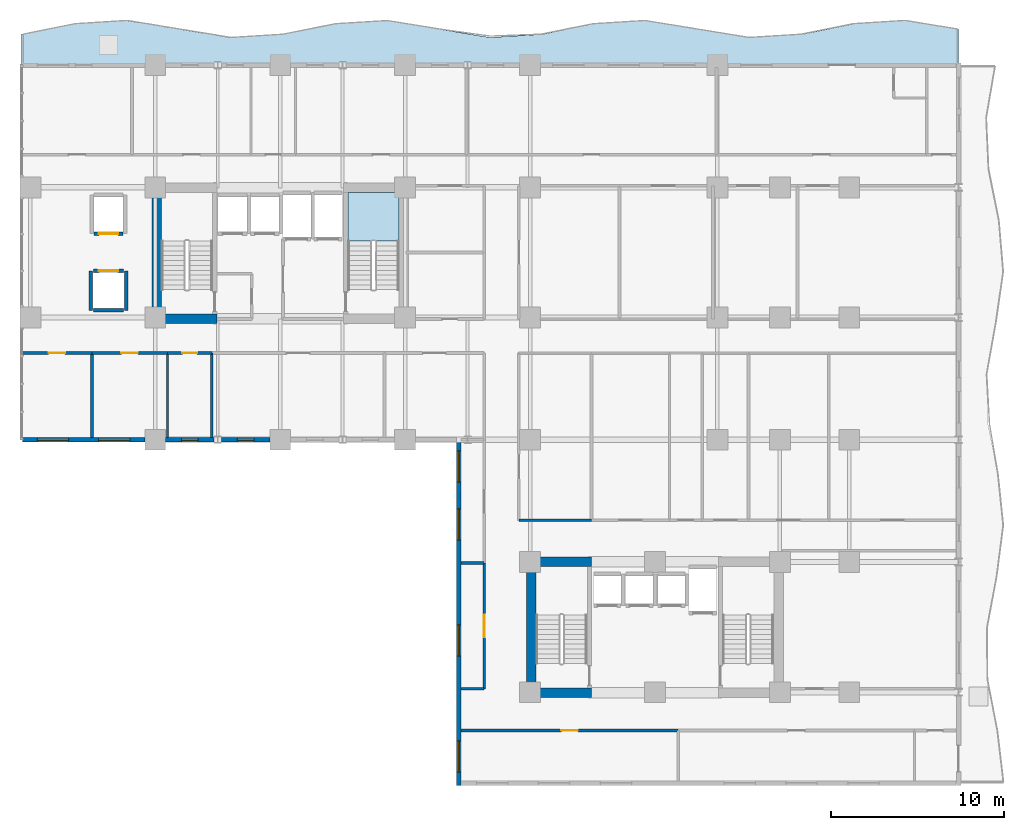
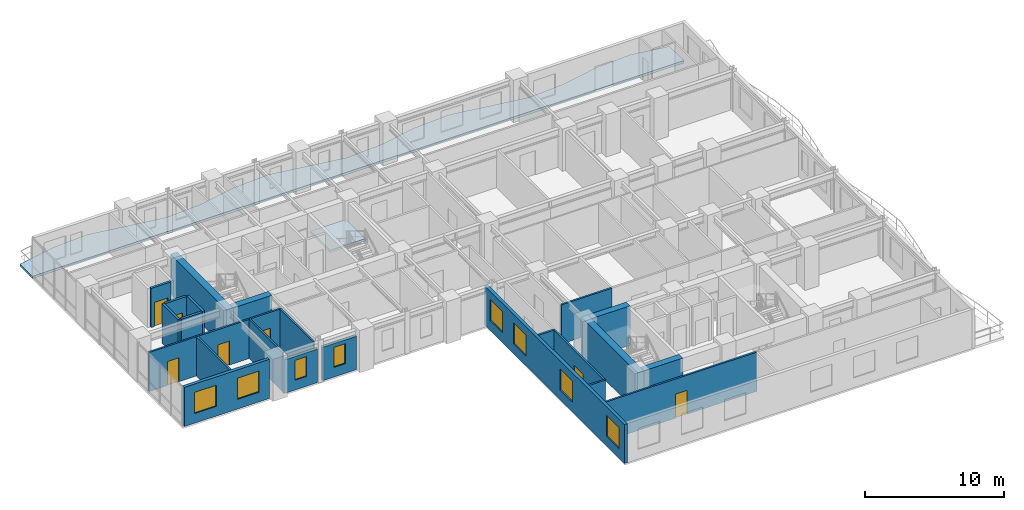
# One storey, part 10 of 18: 25 walls, 8 windows, 7 doors, 2 slabs, 15 openings, 1 element without a shape of its own.
"""IFC4 building model written with IfcOpenShell, lengths in metres."""

from ifc_helpers import new_model, si_unit, direction, frame, frame_2d, origin, place, context, subcontext, project, spatial, polyline, rectangle, outline, extrude, material, layer, layer_set, type_object, element, fill, aggregate, save


model = new_model("IFC4")

# Units and contexts
model_context = context("Model", 3, precision=1e-05, world=origin(), true_north=direction((0.0, 1.0)))
body_context = subcontext(model_context, "Body", "Model", "MODEL_VIEW")
ifc_project = project(units=[si_unit("LENGTHUNIT", "METRE"), si_unit("AREAUNIT", "SQUARE_METRE"), si_unit("VOLUMEUNIT", "CUBIC_METRE"), si_unit("PLANEANGLEUNIT", "RADIAN"), si_unit("MASSUNIT", "GRAM", prefix="KILO")], contexts=[model_context])

# Site, building, storey
site_placement = place(None, origin())
site = spatial("IfcSite", under=ifc_project, at=site_placement, CompositionType="ELEMENT")
building_placement = place(site_placement, origin())
building = spatial("IfcBuilding", under=site, at=building_placement, Name="Kaliganga Portal Commons", CompositionType="ELEMENT")
storey_placement = place(building_placement, frame((0.0, 0.0, 93.39990234375)))
storey = spatial("IfcBuildingStorey", under=building, at=storey_placement, Name="L23", CompositionType="ELEMENT", Elevation=93.39990234375)

# Slab
ifc_material_1 = material(Name="Concrete C40/50", Category="concrete")
ifc_layer_1 = layer(ifc_material_1, 0.2099609375)
ifc_layer_set_1 = layer_set([ifc_layer_1], Name="Concrete C40/50")
slab_type_1 = type_object("IfcSlabType", Name="SLB-BALC-210", PredefinedType="FLOOR", material=ifc_layer_set_1)
slab_1_placement = place(storey_placement, frame((0.0, 0.0, -0.2099609375)))
element("IfcSlab", 1, at=slab_1_placement, inside=storey, type_object=slab_type_1, Name="Scalloped Tree-Planter Balcony Slab L23 balc_north", PredefinedType="FLOOR", context=body_context, shape_type="SweptSolid", body=[
    extrude(outline(polyline([(60.699951171875, 43.199951171875), (60.699951171875, 45.282470703125), (57.699951171875, 45.774658203125), (54.699951171875, 45.586669921875), (51.699951171875, 44.97802734375), (48.699951171875, 44.7900390625), (45.699951171875, 45.282470703125), (42.699951171875, 45.774658203125), (39.699951171875, 45.586669921875), (36.699951171875, 44.97802734375), (33.699951171875, 44.7900390625), (30.699951171875, 45.282470703125), (27.699951171875, 45.774658203125), (24.699951171875, 45.586669921875), (21.699951171875, 44.97802734375), (18.699951171875, 44.7900390625), (15.699951171875, 45.282470703125), (12.699951171875, 45.774658203125), (9.699951171875, 45.586669921875), (6.699951171875, 44.97802734375), (6.699951171875, 43.199951171875), (60.699951171875, 43.199951171875)])), origin(), (0.0, 0.0, 1.0), 0.2099609375),
])

# Stair, slab
stair_type = type_object("IfcStairType", Name="ST-CORE-DOGLEG", PredefinedType="HALF_TURN_STAIR", material=ifc_material_1)
stair_placement = place(storey_placement, origin())
stair = element("IfcStair", 2, at=stair_placement, inside=storey, type_object=stair_type, Name="L23 Protected Exit Stair ST-A2", PredefinedType="HALF_TURN_STAIR")
ifc_layer_2 = layer(ifc_material_1, 0.199951171875)
ifc_layer_set_2 = layer_set([ifc_layer_2], Name="Concrete C40/50")
slab_type_2 = type_object("IfcSlabType", Name="SLB-STAIR-LND", PredefinedType="LANDING", material=ifc_layer_set_2)
slab_2_placement = place(storey_placement, frame((0.0, 0.0, 1.650146484375)))
slab_2 = element("IfcSlab", 3, at=slab_2_placement, type_object=slab_type_2, Name="ST-A2 landing 1", PredefinedType="LANDING", context=body_context, shape_type="SweptSolid", body=[
    extrude(outline(polyline([(28.449951171875, 33.050048828125), (28.449951171875, 35.85009765625), (25.5, 35.85009765625), (25.5, 33.050048828125), (28.449951171875, 33.050048828125)])), origin(), (0.0, 0.0, 1.0), 0.199951171875),
])
aggregate(stair, [slab_2])

# Walls
ifc_material_2 = material(Name="Concrete C60/75", Category="concrete")
ifc_layer_3 = layer(ifc_material_2, 0.550048828125)
ifc_layer_set_3 = layer_set([ifc_layer_3], Name="Concrete C60/75")
wall_type_1 = type_object("IfcWallType", Name="WL-CORE-550", PredefinedType="SHEAR", material=ifc_layer_set_3)
wall_1_placement = place(storey_placement, frame((14.47509765625, 28.300048828125, 0.0), z_axis=(0.0, 0.0, 1.0), x_axis=(0.0, 1.0, 0.0)))
element("IfcWall", 4, at=wall_1_placement, inside=storey, type_object=wall_type_1, Name="Core A West Shear Wall L23", PredefinedType="SHEAR", context=body_context, shape_type="SweptSolid", body=[
    extrude(rectangle(XDim=8.099853515625, YDim=0.550048828125, at=frame_2d((4.0498046875, 0.0))), origin(), (0.0, 0.0, 1.0), 3.4501953125),
])
wall_2_placement = place(storey_placement, frame((14.75, 28.574951171875, 0.0), z_axis=(0.0, 0.0, 1.0), x_axis=(1.0, 0.0, 0.0)))
element("IfcWall", 5, at=wall_2_placement, inside=storey, type_object=wall_type_1, Name="Core A S-West Shear Wall L23", PredefinedType="SHEAR", context=body_context, shape_type="SweptSolid", body=[
    extrude(rectangle(XDim=3.199951171875, YDim=0.550048828125, at=frame_2d((1.60009765625, 0.0))), origin(), (0.0, 0.0, 1.0), 3.4501953125),
])
wall_3_placement = place(storey_placement, frame((36.074951171875, 6.75, 0.0), z_axis=(0.0, 0.0, 1.0), x_axis=(0.0, 1.0, 0.0)))
element("IfcWall", 6, at=wall_3_placement, inside=storey, type_object=wall_type_1, Name="Core B West Shear Wall L23", PredefinedType="SHEAR", context=body_context, shape_type="SweptSolid", body=[
    extrude(rectangle(XDim=8.10009765625, YDim=0.550048828125, at=frame_2d((4.050048828125, 0.0))), origin(), (0.0, 0.0, 1.0), 3.4501953125),
])
for number, where, z_axis, x_axis, name in (
    (7, (36.35009765625, 7.02490234375, 0.0), (0.0, 0.0, 1.0), (1.0, 0.0, 0.0), "Core B S-West Shear Wall L23"),
    (8, (36.35009765625, 14.574951171875, 0.0), (0.0, 0.0, 1.0), (1.0, 0.0, 0.0), "Core B N-West Shear Wall L23"),
):
    element("IfcWall", number, at=place(storey_placement, frame(where, z_axis=z_axis, x_axis=x_axis)), inside=storey, type_object=wall_type_1, Name=name, PredefinedType="SHEAR", context=body_context, shape_type="SweptSolid", body=[
        extrude(rectangle(XDim=3.199951171875, YDim=0.550048828125, at=frame_2d((1.60009765625, 0.0))), origin(), (0.0, 0.0, 1.0), 3.4501953125),
    ])

# Wall, openings, windows
ifc_material_3 = material(Name="Insulated Aluminium-Clad Spandrel Assembly", Category="aluminium")
ifc_layer_4 = layer(ifc_material_3, 0.260009765625)
ifc_layer_set_4 = layer_set([ifc_layer_4], Name="Insulated Aluminium-Clad Spandrel Assembly")
wall_type_2 = type_object("IfcWallType", Name="WL-EXT-SPAND-260", PredefinedType="STANDARD", material=ifc_layer_set_4)
wall_4_placement = place(storey_placement, frame((13.799072265625, 21.60009765625, 0.0), z_axis=(0.0, 0.0, 1.0), x_axis=(-1.0, 0.0, 0.0)))
wall_4 = element("IfcWall", 9, at=wall_4_placement, inside=storey, type_object=wall_type_2, Name="Exterior Envelope Wall L23 P1-E04-S1", PredefinedType="STANDARD", context=body_context, shape_type="SweptSolid", body=[
    extrude(rectangle(XDim=7.06201171875, YDim=0.260009765625, at=frame_2d((3.531005859375, 0.0))), origin(), (0.0, 0.0, 1.0), 3.43017578125),
])
opening_1_placement = place(wall_4_placement, frame((0.865478515625, 0.0, 0.85009765625)))
opening_1 = element("IfcOpeningElement", 10, at=opening_1_placement, cuts=wall_4, Name="Opening W-01", PredefinedType="OPENING", context=body_context, shape_type="SweptSolid", body=[
    extrude(rectangle(XDim=1.800048828125, YDim=1.85009765625, at=frame_2d((0.89990234375, 0.925048828125))), frame((0.0, 0.14013671875, 0.0), z_axis=(0.0, -1.0, 0.0), x_axis=(1.0, 0.0, 0.0)), (0.0, 0.0, 1.0), 0.280029296875),
])
opening_2_placement = place(wall_4_placement, frame((4.396484375, 0.0, 0.85009765625)))
opening_2 = element("IfcOpeningElement", 11, at=opening_2_placement, cuts=wall_4, Name="Opening W-01", PredefinedType="OPENING", context=body_context, shape_type="SweptSolid", body=[
    extrude(rectangle(XDim=1.800048828125, YDim=1.85009765625, at=frame_2d((0.89990234375, 0.925048828125))), frame((0.0, 0.14013671875, 0.0), z_axis=(0.0, -1.0, 0.0), x_axis=(1.0, 0.0, 0.0)), (0.0, 0.0, 1.0), 0.280029296875),
])
ifc_material_4 = material(Name="Thermally Broken Aluminium and Low-E Double Glazing", Category="aluminium")
window_type_1 = type_object("IfcWindowType", Name="WIN-STD-1800", PartitioningType="DOUBLE_PANEL_VERTICAL", PredefinedType="WINDOW", material=ifc_material_4)
window_1_placement = place(opening_1_placement, origin())
window_1 = element("IfcWindow", 12, at=window_1_placement, inside=storey, type_object=window_type_1, Name="Facade Window L23-P1E04S1-00", OverallHeight=1.85009765625, OverallWidth=1.800048828125, PartitioningType="SINGLE_PANEL", PredefinedType="WINDOW", context=body_context, shape_type="SweptSolid", body=[
    extrude(rectangle(XDim=1.800048828125, YDim=1.85009765625, at=frame_2d((0.89990234375, 0.925048828125))), frame((0.0, 0.030029296875, 0.0), z_axis=(0.0, -1.0, 0.0), x_axis=(1.0, 0.0, 0.0)), (0.0, 0.0, 1.0), 0.06005859375),
])
fill(opening_1, window_1)
window_2_placement = place(opening_2_placement, origin())
window_2 = element("IfcWindow", 13, at=window_2_placement, inside=storey, type_object=window_type_1, Name="Facade Window L23-P1E04S1-01", OverallHeight=1.85009765625, OverallWidth=1.800048828125, PartitioningType="SINGLE_PANEL", PredefinedType="WINDOW", context=body_context, shape_type="SweptSolid", body=[
    extrude(rectangle(XDim=1.800048828125, YDim=1.85009765625, at=frame_2d((0.89990234375, 0.925048828125))), frame((0.0, 0.030029296875, 0.0), z_axis=(0.0, -1.0, 0.0), x_axis=(1.0, 0.0, 0.0)), (0.0, 0.0, 1.0), 0.06005859375),
])
fill(opening_2, window_2)

# Wall, opening, window
wall_5_placement = place(storey_placement, frame((17.79443359375, 21.60009765625, 0.0), z_axis=(0.0, 0.0, 1.0), x_axis=(-1.0, 0.0, 0.0)))
wall_5 = element("IfcWall", 14, at=wall_5_placement, inside=storey, type_object=wall_type_2, Name="Exterior Envelope Wall L23 P1-E04-S2", PredefinedType="STANDARD", context=body_context, shape_type="SweptSolid", body=[
    extrude(rectangle(XDim=2.79345703125, YDim=0.260009765625, at=frame_2d((1.396728515625, 0.0))), origin(), (0.0, 0.0, 1.0), 2.93017578125),
])
opening_3_placement = place(wall_5_placement, frame((0.921630859375, 0.0, 0.85009765625)))
opening_3 = element("IfcOpeningElement", 15, at=opening_3_placement, cuts=wall_5, Name="Opening W-04", PredefinedType="OPENING", context=body_context, shape_type="SweptSolid", body=[
    extrude(rectangle(XDim=0.949951171875, YDim=1.75, at=frame_2d((0.47509765625, 0.875))), frame((0.0, 0.14013671875, 0.0), z_axis=(0.0, -1.0, 0.0), x_axis=(1.0, 0.0, 0.0)), (0.0, 0.0, 1.0), 0.280029296875),
])
window_type_2 = type_object("IfcWindowType", Name="WIN-NARROW-950", PartitioningType="SINGLE_PANEL", PredefinedType="WINDOW", material=ifc_material_4)
window_3_placement = place(opening_3_placement, origin())
window_3 = element("IfcWindow", 16, at=window_3_placement, inside=storey, type_object=window_type_2, Name="Facade Window L23-P1E04S2-00", OverallHeight=1.75, OverallWidth=0.949951171875, PartitioningType="SINGLE_PANEL", PredefinedType="WINDOW", context=body_context, shape_type="SweptSolid", body=[
    extrude(rectangle(XDim=0.949951171875, YDim=1.75, at=frame_2d((0.47509765625, 0.875))), frame((0.0, 0.030029296875, 0.0), z_axis=(0.0, -1.0, 0.0), x_axis=(1.0, 0.0, 0.0)), (0.0, 0.0, 1.0), 0.06005859375),
])
fill(opening_3, window_3)

wall_6_placement = place(storey_placement, frame((20.9990234375, 21.60009765625, 0.0), z_axis=(0.0, 0.0, 1.0), x_axis=(-1.0, 0.0, 0.0)))
wall_6 = element("IfcWall", 17, at=wall_6_placement, inside=storey, type_object=wall_type_2, Name="Exterior Envelope Wall L23 P1-E04-S3", PredefinedType="STANDARD", context=body_context, shape_type="SweptSolid", body=[
    extrude(rectangle(XDim=2.79345703125, YDim=0.260009765625, at=frame_2d((1.396728515625, 0.0))), origin(), (0.0, 0.0, 1.0), 2.93017578125),
])
opening_4_placement = place(wall_6_placement, frame((0.921630859375, 0.0, 0.85009765625)))
opening_4 = element("IfcOpeningElement", 18, at=opening_4_placement, cuts=wall_6, Name="Opening W-04", PredefinedType="OPENING", context=body_context, shape_type="SweptSolid", body=[
    extrude(rectangle(XDim=0.949951171875, YDim=1.75, at=frame_2d((0.47509765625, 0.875))), frame((0.0, 0.14013671875, 0.0), z_axis=(0.0, -1.0, 0.0), x_axis=(1.0, 0.0, 0.0)), (0.0, 0.0, 1.0), 0.280029296875),
])
window_4_placement = place(opening_4_placement, origin())
window_4 = element("IfcWindow", 19, at=window_4_placement, inside=storey, type_object=window_type_2, Name="Facade Window L23-P1E04S3-00", OverallHeight=1.75, OverallWidth=0.949951171875, PartitioningType="SINGLE_PANEL", PredefinedType="WINDOW", context=body_context, shape_type="SweptSolid", body=[
    extrude(rectangle(XDim=0.949951171875, YDim=1.75, at=frame_2d((0.47509765625, 0.875))), frame((0.0, 0.030029296875, 0.0), z_axis=(0.0, -1.0, 0.0), x_axis=(1.0, 0.0, 0.0)), (0.0, 0.0, 1.0), 0.06005859375),
])
fill(opening_4, window_4)

# Wall, openings, windows
wall_7_placement = place(storey_placement, frame((31.89990234375, 1.669921875, 0.0), z_axis=(0.0, 0.0, 1.0), x_axis=(0.0, 1.0, 0.0)))
wall_7 = element("IfcWall", 20, at=wall_7_placement, inside=storey, type_object=wall_type_2, Name="Exterior Envelope Wall L23 P1-E05-S1", PredefinedType="STANDARD", context=body_context, shape_type="SweptSolid", body=[
    extrude(rectangle(XDim=20.06005859375, YDim=0.260009765625, at=frame_2d((10.030029296875, 0.0))), origin(), (0.0, 0.0, 1.0), 3.43017578125),
])
opening_5_placement = place(wall_7_placement, frame((0.771728515625, 0.0, 0.85009765625)))
opening_5 = element("IfcOpeningElement", 21, at=opening_5_placement, cuts=wall_7, Name="Opening W-01", PredefinedType="OPENING", context=body_context, shape_type="SweptSolid", body=[
    extrude(rectangle(XDim=1.800048828125, YDim=1.85009765625, at=frame_2d((0.89990234375, 0.925048828125))), frame((0.0, 0.14013671875, 0.0), z_axis=(0.0, -1.0, 0.0), x_axis=(1.0, 0.0, 0.0)), (0.0, 0.0, 1.0), 0.280029296875),
])
opening_6_placement = place(wall_7_placement, frame((7.458251953125, 0.0, 0.85009765625)))
opening_6 = element("IfcOpeningElement", 22, at=opening_6_placement, cuts=wall_7, Name="Opening W-01", PredefinedType="OPENING", context=body_context, shape_type="SweptSolid", body=[
    extrude(rectangle(XDim=1.800048828125, YDim=1.85009765625, at=frame_2d((0.89990234375, 0.925048828125))), frame((0.0, 0.14013671875, 0.0), z_axis=(0.0, -1.0, 0.0), x_axis=(1.0, 0.0, 0.0)), (0.0, 0.0, 1.0), 0.280029296875),
])
opening_7_placement = place(wall_7_placement, frame((14.14501953125, 0.0, 0.85009765625)))
opening_7 = element("IfcOpeningElement", 23, at=opening_7_placement, cuts=wall_7, Name="Opening W-01", PredefinedType="OPENING", context=body_context, shape_type="SweptSolid", body=[
    extrude(rectangle(XDim=1.800048828125, YDim=1.85009765625, at=frame_2d((0.89990234375, 0.925048828125))), frame((0.0, 0.14013671875, 0.0), z_axis=(0.0, -1.0, 0.0), x_axis=(1.0, 0.0, 0.0)), (0.0, 0.0, 1.0), 0.280029296875),
])
opening_8_placement = place(wall_7_placement, frame((17.48828125, 0.0, 0.85009765625)))
opening_8 = element("IfcOpeningElement", 24, at=opening_8_placement, cuts=wall_7, Name="Opening W-01", PredefinedType="OPENING", context=body_context, shape_type="SweptSolid", body=[
    extrude(rectangle(XDim=1.800048828125, YDim=1.85009765625, at=frame_2d((0.89990234375, 0.925048828125))), frame((0.0, 0.14013671875, 0.0), z_axis=(0.0, -1.0, 0.0), x_axis=(1.0, 0.0, 0.0)), (0.0, 0.0, 1.0), 0.280029296875),
])
window_5_placement = place(opening_5_placement, origin())
window_5 = element("IfcWindow", 25, at=window_5_placement, inside=storey, type_object=window_type_1, Name="Facade Window L23-P1E05S1-00", OverallHeight=1.85009765625, OverallWidth=1.800048828125, PartitioningType="SINGLE_PANEL", PredefinedType="WINDOW", context=body_context, shape_type="SweptSolid", body=[
    extrude(rectangle(XDim=1.800048828125, YDim=1.85009765625, at=frame_2d((0.89990234375, 0.925048828125))), frame((0.0, 0.030029296875, 0.0), z_axis=(0.0, -1.0, 0.0), x_axis=(1.0, 0.0, 0.0)), (0.0, 0.0, 1.0), 0.06005859375),
])
fill(opening_5, window_5)
window_6_placement = place(opening_6_placement, origin())
window_6 = element("IfcWindow", 26, at=window_6_placement, inside=storey, type_object=window_type_1, Name="Facade Window L23-P1E05S1-02", OverallHeight=1.85009765625, OverallWidth=1.800048828125, PartitioningType="SINGLE_PANEL", PredefinedType="WINDOW", context=body_context, shape_type="SweptSolid", body=[
    extrude(rectangle(XDim=1.800048828125, YDim=1.85009765625, at=frame_2d((0.89990234375, 0.925048828125))), frame((0.0, 0.030029296875, 0.0), z_axis=(0.0, -1.0, 0.0), x_axis=(1.0, 0.0, 0.0)), (0.0, 0.0, 1.0), 0.06005859375),
])
fill(opening_6, window_6)
window_7_placement = place(opening_7_placement, origin())
window_7 = element("IfcWindow", 27, at=window_7_placement, inside=storey, type_object=window_type_1, Name="Facade Window L23-P1E05S1-04", OverallHeight=1.85009765625, OverallWidth=1.800048828125, PartitioningType="SINGLE_PANEL", PredefinedType="WINDOW", context=body_context, shape_type="SweptSolid", body=[
    extrude(rectangle(XDim=1.800048828125, YDim=1.85009765625, at=frame_2d((0.89990234375, 0.925048828125))), frame((0.0, 0.030029296875, 0.0), z_axis=(0.0, -1.0, 0.0), x_axis=(1.0, 0.0, 0.0)), (0.0, 0.0, 1.0), 0.06005859375),
])
fill(opening_7, window_7)
window_8_placement = place(opening_8_placement, origin())
window_8 = element("IfcWindow", 28, at=window_8_placement, inside=storey, type_object=window_type_1, Name="Facade Window L23-P1E05S1-05", OverallHeight=1.85009765625, OverallWidth=1.800048828125, PartitioningType="SINGLE_PANEL", PredefinedType="WINDOW", context=body_context, shape_type="SweptSolid", body=[
    extrude(rectangle(XDim=1.800048828125, YDim=1.85009765625, at=frame_2d((0.89990234375, 0.925048828125))), frame((0.0, 0.030029296875, 0.0), z_axis=(0.0, -1.0, 0.0), x_axis=(1.0, 0.0, 0.0)), (0.0, 0.0, 1.0), 0.06005859375),
])
fill(opening_8, window_8)

# Wall, opening, door
ifc_material_5 = material(Name="Fire-Rated Gypsum Board on Steel Stud", Category="steel")
ifc_layer_5 = layer(ifc_material_5, 0.14990234375)
ifc_layer_set_5 = layer_set([ifc_layer_5], Name="Fire-Rated Gypsum Board on Steel Stud")
wall_type_3 = type_object("IfcWallType", Name="WL-PART-CORR-150", PredefinedType="PARTITIONING", material=ifc_layer_set_5)
wall_8_placement = place(storey_placement, frame((32.031982421875, 4.840087890625, 0.0), z_axis=(0.0, 0.0, 1.0), x_axis=(1.0, 0.0, 0.0)))
wall_8 = element("IfcWall", 29, at=wall_8_placement, inside=storey, type_object=wall_type_3, Name="Interior Partition L23-006", PredefinedType="PARTITIONING", context=body_context, shape_type="SweptSolid", body=[
    extrude(rectangle(XDim=12.508056640625, YDim=0.14990234375, at=frame_2d((6.25390625, 0.0))), origin(), (0.0, 0.0, 1.0), 3.43017578125),
])
opening_9_placement = place(wall_8_placement, frame((5.779052734375, 0.0, 0.0)))
opening_9 = element("IfcOpeningElement", 30, at=opening_9_placement, cuts=wall_8, Name="Opening UD-01", PredefinedType="OPENING", context=body_context, shape_type="SweptSolid", body=[
    extrude(rectangle(XDim=0.949951171875, YDim=2.10009765625, at=frame_2d((0.47509765625, 1.050048828125))), frame((0.0, 0.0849609375, 0.0), z_axis=(0.0, -1.0, 0.0), x_axis=(1.0, 0.0, 0.0)), (0.0, 0.0, 1.0), 0.169921875),
])
ifc_material_6 = material(Name="Solid-Core Timber Acoustic Fire Door", Category="wood")
door_type_1 = type_object("IfcDoorType", Name="DR-UNIT-950", OperationType="NOTDEFINED", PredefinedType="DOOR", material=ifc_material_6)
door_1_placement = place(opening_9_placement, origin())
door_1 = element("IfcDoor", 31, at=door_1_placement, inside=storey, type_object=door_type_1, Name="Interior Door L23-BS01", OperationType="SINGLE_SWING_LEFT", OverallHeight=2.10009765625, OverallWidth=0.949951171875, PredefinedType="DOOR", context=body_context, shape_type="SweptSolid", body=[
    extrude(rectangle(XDim=0.949951171875, YDim=2.10009765625, at=frame_2d((0.47509765625, 1.050048828125))), frame((0.0, 0.02490234375, 0.0), z_axis=(0.0, -1.0, 0.0), x_axis=(1.0, 0.0, 0.0)), (0.0, 0.0, 1.0), 0.050048828125),
])
fill(opening_9, door_1)

wall_9_placement = place(storey_placement, frame((33.360107421875, 7.239990234375, 0.0), z_axis=(0.0, 0.0, 1.0), x_axis=(0.0, 1.0, 0.0)))
wall_9 = element("IfcWall", 32, at=wall_9_placement, inside=storey, type_object=wall_type_3, Name="Interior Partition L23-018", PredefinedType="PARTITIONING", context=body_context, shape_type="SweptSolid", body=[
    extrude(rectangle(XDim=7.260009765625, YDim=0.14990234375, at=frame_2d((3.6298828125, 0.0))), origin(), (0.0, 0.0, 1.0), 3.43017578125),
])
opening_10_placement = place(wall_9_placement, frame((2.97998046875, 0.0, 0.0)))
opening_10 = element("IfcOpeningElement", 33, at=opening_10_placement, cuts=wall_9, Name="Opening RD-03", PredefinedType="OPENING", context=body_context, shape_type="SweptSolid", body=[
    extrude(rectangle(XDim=1.300048828125, YDim=2.1201171875, at=frame_2d((0.64990234375, 1.06005859375))), frame((0.0, 0.0849609375, 0.0), z_axis=(0.0, -1.0, 0.0), x_axis=(1.0, 0.0, 0.0)), (0.0, 0.0, 1.0), 0.169921875),
])
ifc_material_7 = material(Name="Glazed Timber Seminar Vision Door", Category="wood")
door_type_2 = type_object("IfcDoorType", Name="DR-STUDY-1300", OperationType="DOUBLE_DOOR_SINGLE_SWING", PredefinedType="DOOR", material=ifc_material_7)
door_2_placement = place(opening_10_placement, origin())
door_2 = element("IfcDoor", 34, at=door_2_placement, inside=storey, type_object=door_type_2, Name="Interior Door L23-KW01", OperationType="DOUBLE_DOOR_SINGLE_SWING", OverallHeight=2.1201171875, OverallWidth=1.300048828125, PredefinedType="DOOR", context=body_context, shape_type="SweptSolid", body=[
    extrude(rectangle(XDim=1.300048828125, YDim=2.1201171875, at=frame_2d((0.64990234375, 1.06005859375))), frame((0.0, 0.02490234375, 0.0), z_axis=(0.0, -1.0, 0.0), x_axis=(1.0, 0.0, 0.0)), (0.0, 0.0, 1.0), 0.050048828125),
])
fill(opening_10, door_2)

wall_10_placement = place(storey_placement, frame((10.739990234375, 26.60009765625, 0.0), z_axis=(0.0, 0.0, 1.0), x_axis=(1.0, 0.0, 0.0)))
wall_10 = element("IfcWall", 35, at=wall_10_placement, inside=storey, type_object=wall_type_3, Name="Interior Partition L23-032", PredefinedType="PARTITIONING", context=body_context, shape_type="SweptSolid", body=[
    extrude(rectangle(XDim=4.360107421875, YDim=0.14990234375, at=frame_2d((2.18017578125, 0.0))), origin(), (0.0, 0.0, 1.0), 3.43017578125),
])
opening_11_placement = place(wall_10_placement, frame((1.705078125, 0.0, 0.0)))
opening_11 = element("IfcOpeningElement", 36, at=opening_11_placement, cuts=wall_10, Name="Opening UD-01", PredefinedType="OPENING", context=body_context, shape_type="SweptSolid", body=[
    extrude(rectangle(XDim=0.949951171875, YDim=2.10009765625, at=frame_2d((0.47509765625, 1.050048828125))), frame((0.0, 0.0849609375, 0.0), z_axis=(0.0, -1.0, 0.0), x_axis=(1.0, 0.0, 0.0)), (0.0, 0.0, 1.0), 0.169921875),
])
door_3_placement = place(opening_11_placement, origin())
door_3 = element("IfcDoor", 37, at=door_3_placement, inside=storey, type_object=door_type_1, Name="Interior Door L23-AS02", OperationType="SINGLE_SWING_LEFT", OverallHeight=2.10009765625, OverallWidth=0.949951171875, PredefinedType="DOOR", context=body_context, shape_type="SweptSolid", body=[
    extrude(rectangle(XDim=0.949951171875, YDim=2.10009765625, at=frame_2d((0.47509765625, 1.050048828125))), frame((0.0, 0.02490234375, 0.0), z_axis=(0.0, -1.0, 0.0), x_axis=(1.0, 0.0, 0.0)), (0.0, 0.0, 1.0), 0.050048828125),
])
fill(opening_11, door_3)

# Wall
wall_11_placement = place(storey_placement, frame((35.360107421875, 16.9599609375, 0.0), z_axis=(0.0, 0.0, 1.0), x_axis=(1.0, 0.0, 0.0)))
element("IfcWall", 38, at=wall_11_placement, inside=storey, type_object=wall_type_3, Name="Interior Partition L23-033", PredefinedType="PARTITIONING", context=body_context, shape_type="SweptSolid", body=[
    extrude(rectangle(XDim=4.179931640625, YDim=0.14990234375, at=frame_2d((2.08984375, 0.0))), origin(), (0.0, 0.0, 1.0), 3.43017578125),
])

# Wall, opening, door
wall_12_placement = place(storey_placement, frame((6.719970703125, 26.60009765625, 0.0), z_axis=(0.0, 0.0, 1.0), x_axis=(1.0, 0.0, 0.0)))
wall_12 = element("IfcWall", 39, at=wall_12_placement, inside=storey, type_object=wall_type_3, Name="Interior Partition L23-034", PredefinedType="PARTITIONING", context=body_context, shape_type="SweptSolid", body=[
    extrude(rectangle(XDim=4.02001953125, YDim=0.14990234375, at=frame_2d((2.010009765625, 0.0))), origin(), (0.0, 0.0, 1.0), 3.43017578125),
])
opening_12_placement = place(wall_12_placement, frame((1.534912109375, 0.0, 0.0)))
opening_12 = element("IfcOpeningElement", 40, at=opening_12_placement, cuts=wall_12, Name="Opening UD-01", PredefinedType="OPENING", context=body_context, shape_type="SweptSolid", body=[
    extrude(rectangle(XDim=0.949951171875, YDim=2.10009765625, at=frame_2d((0.47509765625, 1.050048828125))), frame((0.0, 0.0849609375, 0.0), z_axis=(0.0, -1.0, 0.0), x_axis=(1.0, 0.0, 0.0)), (0.0, 0.0, 1.0), 0.169921875),
])
door_4_placement = place(opening_12_placement, origin())
door_4 = element("IfcDoor", 41, at=door_4_placement, inside=storey, type_object=door_type_1, Name="Interior Door L23-AS01", OperationType="SINGLE_SWING_RIGHT", OverallHeight=2.10009765625, OverallWidth=0.949951171875, PredefinedType="DOOR", context=body_context, shape_type="SweptSolid", body=[
    extrude(rectangle(XDim=0.949951171875, YDim=2.10009765625, at=frame_2d((0.47509765625, 1.050048828125))), frame((0.0, 0.02490234375, 0.0), z_axis=(0.0, -1.0, 0.0), x_axis=(1.0, 0.0, 0.0)), (0.0, 0.0, 1.0), 0.050048828125),
])
fill(opening_12, door_4)

wall_13_placement = place(storey_placement, frame((15.10009765625, 26.60009765625, 0.0), z_axis=(0.0, 0.0, 1.0), x_axis=(1.0, 0.0, 0.0)))
wall_13 = element("IfcWall", 42, at=wall_13_placement, inside=storey, type_object=wall_type_3, Name="Interior Partition L23-039", PredefinedType="PARTITIONING", context=body_context, shape_type="SweptSolid", body=[
    extrude(rectangle(XDim=2.559814453125, YDim=0.14990234375, at=frame_2d((1.27978515625, 0.0))), origin(), (0.0, 0.0, 1.0), 3.43017578125),
])
opening_13_placement = place(wall_13_placement, frame((0.85498046875, 0.0, 0.0)))
opening_13 = element("IfcOpeningElement", 43, at=opening_13_placement, cuts=wall_13, Name="Opening WD-01", PredefinedType="OPENING", context=body_context, shape_type="SweptSolid", body=[
    extrude(rectangle(XDim=0.85009765625, YDim=2.0400390625, at=frame_2d((0.425048828125, 1.02001953125))), frame((0.0, 0.0849609375, 0.0), z_axis=(0.0, -1.0, 0.0), x_axis=(1.0, 0.0, 0.0)), (0.0, 0.0, 1.0), 0.169921875),
])
ifc_material_8 = material(Name="Moisture-Resistant Laminate Timber Door", Category="wood")
door_type_3 = type_object("IfcDoorType", Name="DR-WET-850", OperationType="NOTDEFINED", PredefinedType="DOOR", material=ifc_material_8)
door_5_placement = place(opening_13_placement, origin())
door_5 = element("IfcDoor", 44, at=door_5_placement, inside=storey, type_object=door_type_3, Name="Interior Door L23-AS03", OperationType="SINGLE_SWING_LEFT", OverallHeight=2.0400390625, OverallWidth=0.85009765625, PredefinedType="DOOR", context=body_context, shape_type="SweptSolid", body=[
    extrude(rectangle(XDim=0.85009765625, YDim=2.0400390625, at=frame_2d((0.425048828125, 1.02001953125))), frame((0.0, 0.02490234375, 0.0), z_axis=(0.0, -1.0, 0.0), x_axis=(1.0, 0.0, 0.0)), (0.0, 0.0, 1.0), 0.050048828125),
])
fill(opening_13, door_5)

# Walls
wall_14_placement = place(storey_placement, frame((32.031982421875, 7.239990234375, 0.0), z_axis=(0.0, 0.0, 1.0), x_axis=(1.0, 0.0, 0.0)))
element("IfcWall", 45, at=wall_14_placement, inside=storey, type_object=wall_type_3, Name="Interior Partition L23-046", PredefinedType="PARTITIONING", context=body_context, shape_type="SweptSolid", body=[
    extrude(rectangle(XDim=1.328125, YDim=0.14990234375, at=frame_2d((0.6640625, 0.0))), origin(), (0.0, 0.0, 1.0), 3.43017578125),
])
ifc_material_9 = material(Name="Twin-Stud Acoustic Gypsum Partition", Category="gypsum")
ifc_layer_6 = layer(ifc_material_9, 0.1650390625)
ifc_layer_set_6 = layer_set([ifc_layer_6], Name="Twin-Stud Acoustic Gypsum Partition")
wall_type_4 = type_object("IfcWallType", Name="WL-PART-UNIT-165", PredefinedType="PARTITIONING", material=ifc_layer_set_6)
wall_15_placement = place(storey_placement, frame((10.739990234375, 21.73193359375, 0.0), z_axis=(0.0, 0.0, 1.0), x_axis=(0.0, 1.0, 0.0)))
element("IfcWall", 46, at=wall_15_placement, inside=storey, type_object=wall_type_4, Name="Interior Partition L23-065", PredefinedType="PARTITIONING", context=body_context, shape_type="SweptSolid", body=[
    extrude(rectangle(XDim=4.8681640625, YDim=0.1650390625, at=frame_2d((2.43408203125, 0.0))), origin(), (0.0, 0.0, 1.0), 3.43017578125),
])
wall_16_placement = place(storey_placement, frame((32.031982421875, 14.5, 0.0), z_axis=(0.0, 0.0, 1.0), x_axis=(1.0, 0.0, 0.0)))
element("IfcWall", 47, at=wall_16_placement, inside=storey, type_object=wall_type_4, Name="Interior Partition L23-082", PredefinedType="PARTITIONING", context=body_context, shape_type="SweptSolid", body=[
    extrude(rectangle(XDim=1.328125, YDim=0.1650390625, at=frame_2d((0.6640625, 0.0))), origin(), (0.0, 0.0, 1.0), 3.43017578125),
])
ifc_material_10 = material(Name="Cement-Board Wet-Room Partition", Category="gypsum")
ifc_layer_7 = layer(ifc_material_10, 0.135009765625)
ifc_layer_set_7 = layer_set([ifc_layer_7], Name="Cement-Board Wet-Room Partition")
wall_type_5 = type_object("IfcWallType", Name="WL-PART-WET-135", PredefinedType="PARTITIONING", material=ifc_layer_set_7)
for number, where, z_axis, x_axis, name in (
    (48, (15.10009765625, 21.73193359375, 0.0), (0.0, 0.0, 1.0), (0.0, 1.0, 0.0), "Interior Partition L23-066"),
    (49, (17.659912109375, 21.73193359375, 0.0), (0.0, 0.0, 1.0), (0.0, 1.0, 0.0), "Interior Partition L23-067"),
):
    element("IfcWall", number, at=place(storey_placement, frame(where, z_axis=z_axis, x_axis=x_axis)), inside=storey, type_object=wall_type_5, Name=name, PredefinedType="PARTITIONING", context=body_context, shape_type="SweptSolid", body=[
        extrude(rectangle(XDim=4.8681640625, YDim=0.135009765625, at=frame_2d((2.43408203125, 0.0))), origin(), (0.0, 0.0, 1.0), 3.43017578125),
    ])
ifc_material_11 = material(Name="Fire-Rated Shaftwall Masonry Assembly", Category="masonry")
ifc_layer_8 = layer(ifc_material_11, 0.199951171875)
ifc_layer_set_8 = layer_set([ifc_layer_8], Name="Fire-Rated Shaftwall Masonry Assembly")
wall_type_6 = type_object("IfcWallType", Name="WL-SHAFT-200", PredefinedType="PARTITIONING", material=ifc_layer_set_8)
wall_17_placement = place(storey_placement, frame((10.824951171875, 29.06005859375, 0.0), z_axis=(0.0, 0.0, 1.0), x_axis=(1.0, 0.0, 0.0)))
element("IfcWall", 50, at=wall_17_placement, inside=storey, type_object=wall_type_6, Name="Lift SH-1 Hoistway Shaft Wall L23-S", PredefinedType="PARTITIONING", context=body_context, shape_type="SweptSolid", body=[
    extrude(rectangle(XDim=1.75, YDim=0.199951171875, at=frame_2d((0.875, 0.0))), origin(), (0.0, 0.0, 1.0), 3.43017578125),
])

# Wall, opening, door
wall_18_placement = place(storey_placement, frame((10.824951171875, 31.340087890625, 0.0), z_axis=(0.0, 0.0, 1.0), x_axis=(1.0, 0.0, 0.0)))
wall_18 = element("IfcWall", 51, at=wall_18_placement, inside=storey, type_object=wall_type_6, Name="Lift SH-1 Hoistway Shaft Wall L23-N", PredefinedType="PARTITIONING", context=body_context, shape_type="SweptSolid", body=[
    extrude(rectangle(XDim=1.75, YDim=0.199951171875, at=frame_2d((0.875, 0.0))), origin(), (0.0, 0.0, 1.0), 3.43017578125),
])
opening_14_placement = place(wall_18_placement, frame((0.324951171875, 0.0, 0.0)))
opening_14 = element("IfcOpeningElement", 52, at=opening_14_placement, cuts=wall_18, Name="Opening LD-01", PredefinedType="OPENING", context=body_context, shape_type="SweptSolid", body=[
    extrude(rectangle(XDim=1.10009765625, YDim=2.1201171875, at=frame_2d((0.550048828125, 1.06005859375))), frame((0.0, 0.10986328125, 0.0), z_axis=(0.0, -1.0, 0.0), x_axis=(1.0, 0.0, 0.0)), (0.0, 0.0, 1.0), 0.219970703125),
])
ifc_material_12 = material(Name="Brushed Stainless Steel 316 Lift Landing Door", Category="steel")
door_type_4 = type_object("IfcDoorType", Name="DR-LIFT-1100", OperationType="SLIDING_TO_LEFT", PredefinedType="DOOR", material=ifc_material_12)
door_6_placement = place(opening_14_placement, origin())
door_6 = element("IfcDoor", 53, at=door_6_placement, inside=storey, type_object=door_type_4, Name="Lift SH-1 Sliding Landing Door L23", OperationType="SLIDING_TO_LEFT", OverallHeight=2.1201171875, OverallWidth=1.10009765625, PredefinedType="DOOR", context=body_context, shape_type="SweptSolid", body=[
    extrude(rectangle(XDim=1.10009765625, YDim=2.1201171875, at=frame_2d((0.550048828125, 1.06005859375))), frame((0.0, 0.02490234375, 0.0), z_axis=(0.0, -1.0, 0.0), x_axis=(1.0, 0.0, 0.0)), (0.0, 0.0, 1.0), 0.050048828125),
])
fill(opening_14, door_6)

# Walls
for number, where, z_axis, x_axis, name in (
    (54, (10.68505859375, 29.06005859375, 0.0), (0.0, 0.0, 1.0), (0.0, 1.0, 0.0), "Lift SH-1 Hoistway Shaft Wall L23-W"),
    (55, (12.715087890625, 29.06005859375, 0.0), (0.0, 0.0, 1.0), (0.0, 1.0, 0.0), "Lift SH-1 Hoistway Shaft Wall L23-E"),
):
    element("IfcWall", number, at=place(storey_placement, frame(where, z_axis=z_axis, x_axis=x_axis)), inside=storey, type_object=wall_type_6, Name=name, PredefinedType="PARTITIONING", context=body_context, shape_type="SweptSolid", body=[
        extrude(rectangle(XDim=2.280029296875, YDim=0.199951171875, at=frame_2d((1.14013671875, 0.0))), origin(), (0.0, 0.0, 1.0), 3.43017578125),
    ])

# Wall, opening, door
wall_19_placement = place(storey_placement, frame((10.875, 33.485107421875, 0.0), z_axis=(0.0, 0.0, 1.0), x_axis=(1.0, 0.0, 0.0)))
wall_19 = element("IfcWall", 56, at=wall_19_placement, inside=storey, type_object=wall_type_6, Name="Lift PL-OBS Hoistway Shaft Wall L23-S", PredefinedType="PARTITIONING", context=body_context, shape_type="SweptSolid", body=[
    extrude(rectangle(XDim=1.64990234375, YDim=0.199951171875, at=frame_2d((0.824951171875, 0.0))), origin(), (0.0, 0.0, 1.0), 3.43017578125),
])
opening_15_placement = place(wall_19_placement, frame((0.27490234375, 0.0, 0.0)))
opening_15 = element("IfcOpeningElement", 57, at=opening_15_placement, cuts=wall_19, Name="Opening LD-01", PredefinedType="OPENING", context=body_context, shape_type="SweptSolid", body=[
    extrude(rectangle(XDim=1.10009765625, YDim=2.1201171875, at=frame_2d((0.550048828125, 1.06005859375))), frame((0.0, 0.10986328125, 0.0), z_axis=(0.0, -1.0, 0.0), x_axis=(1.0, 0.0, 0.0)), (0.0, 0.0, 1.0), 0.219970703125),
])
door_7_placement = place(opening_15_placement, origin())
door_7 = element("IfcDoor", 58, at=door_7_placement, inside=storey, type_object=door_type_4, Name="Lift PL-OBS Sliding Landing Door L23", OperationType="SLIDING_TO_LEFT", OverallHeight=2.1201171875, OverallWidth=1.10009765625, PredefinedType="DOOR", context=body_context, shape_type="SweptSolid", body=[
    extrude(rectangle(XDim=1.10009765625, YDim=2.1201171875, at=frame_2d((0.550048828125, 1.06005859375))), frame((0.0, 0.02490234375, 0.0), z_axis=(0.0, -1.0, 0.0), x_axis=(1.0, 0.0, 0.0)), (0.0, 0.0, 1.0), 0.050048828125),
])
fill(opening_15, door_7)

save(model, "model.ifc")
